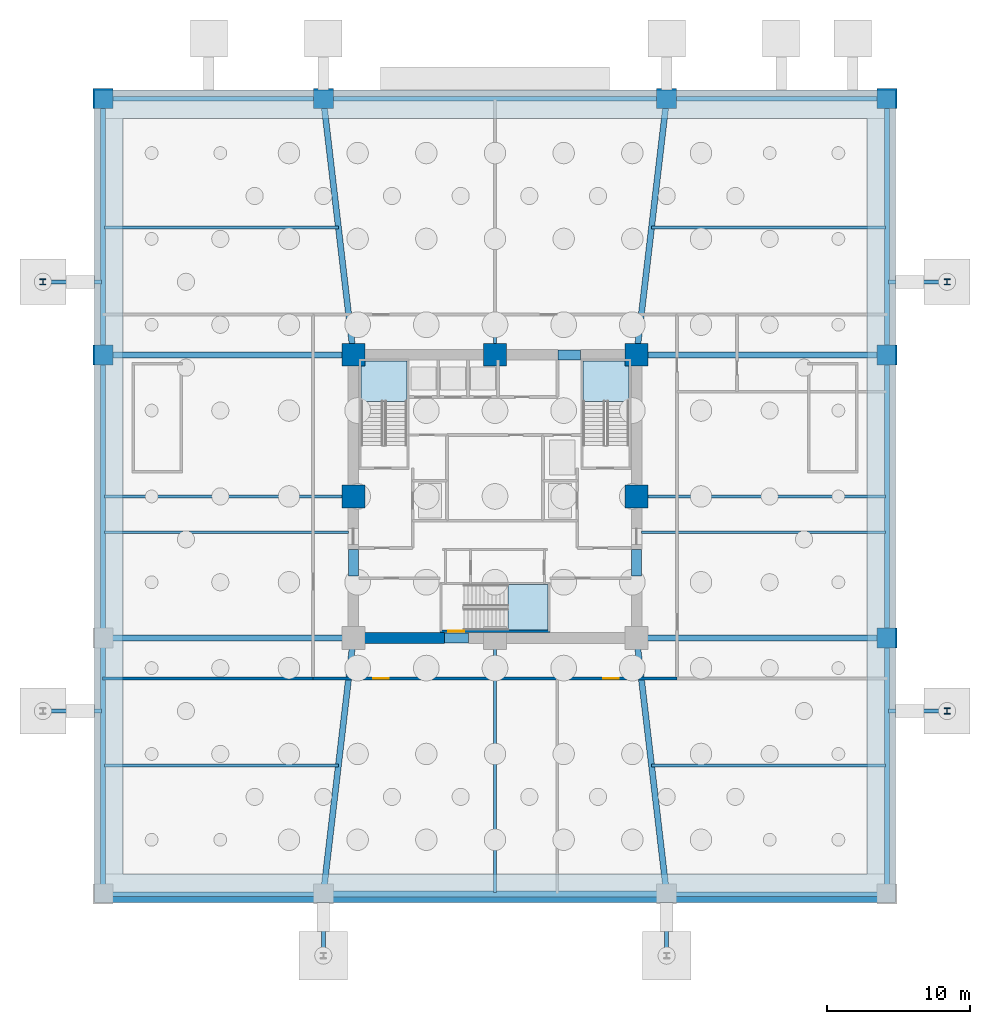
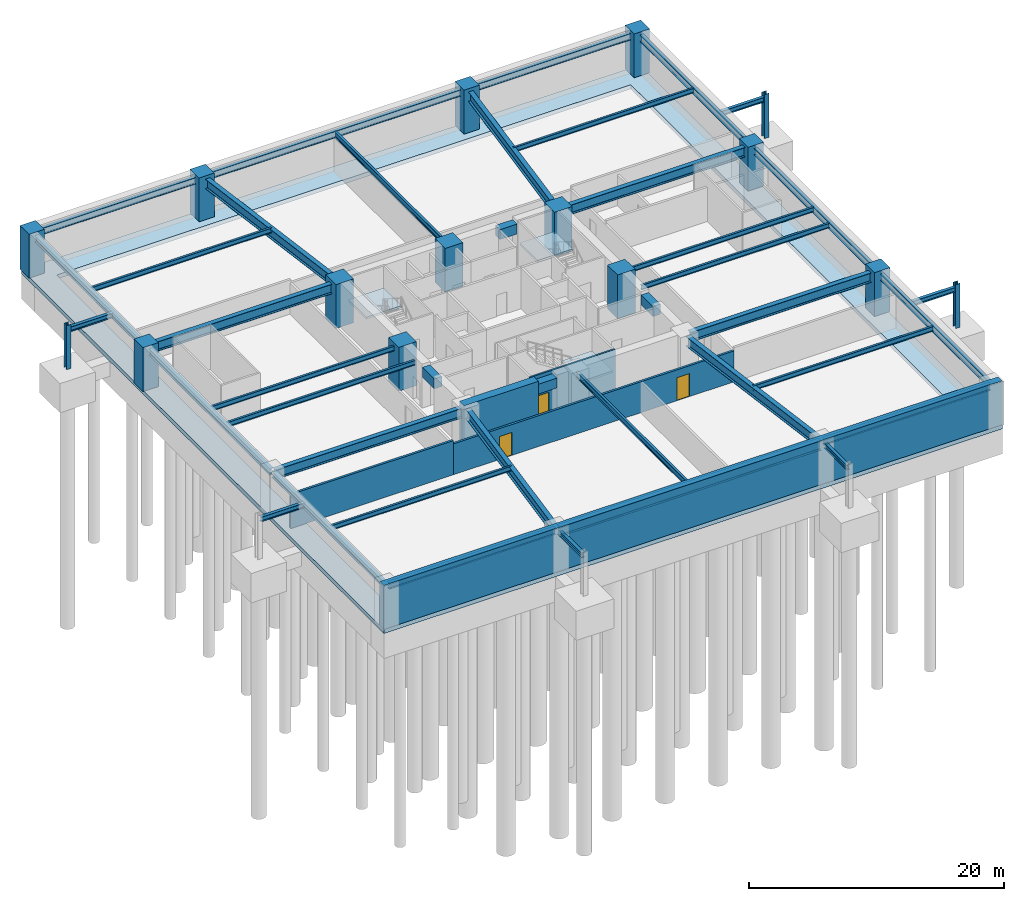
# One storey, part 3 of 8: 40 beams, 15 columns, 5 walls, 4 slabs, 3 doors, 3 openings, 3 elements without a shape of their own.
"""IFC4 building model written with IfcOpenShell, lengths in metres."""

from ifc_helpers import new_model, si_unit, direction, frame, frame_2d, origin, origin_2d, place, context, subcontext, project, spatial, polyline, rectangle, i_section, outline, extrude, material, layer, layer_set, material_profile, profile_set, type_object, element, fill, aggregate, save


model = new_model("IFC4")

# Units and contexts
model_context = context("Model", 3, precision=1e-05, world=origin(), true_north=direction((0.0, 1.0)))
body_context = subcontext(model_context, "Body", "Model", "MODEL_VIEW")
ifc_project = project(units=[si_unit("LENGTHUNIT", "METRE"), si_unit("AREAUNIT", "SQUARE_METRE"), si_unit("VOLUMEUNIT", "CUBIC_METRE"), si_unit("PLANEANGLEUNIT", "RADIAN"), si_unit("MASSUNIT", "GRAM", prefix="KILO")], contexts=[model_context])

# Site, building, storey
site_placement = place(None, origin())
site = spatial("IfcSite", under=ifc_project, at=site_placement, CompositionType="ELEMENT")
building_placement = place(site_placement, origin())
building = spatial("IfcBuilding", under=site, at=building_placement, Name="Kolvaren Belvedere", CompositionType="ELEMENT")
storey_placement = place(building_placement, frame((0.0, 0.0, -12.60009765625)))
storey = spatial("IfcBuildingStorey", under=building, at=storey_placement, Name="B03", CompositionType="ELEMENT", Elevation=-12.60009765625)

# Columns
ifc_material_1 = material(Name="Concrete C60/75", Category="concrete")
ifc_material_profile_1 = material_profile(ifc_material_1, rectangle(XDim=1.39990234375, YDim=1.39990234375, at=origin_2d()), Name="RC 1400X1400")
ifc_profile_set_1 = profile_set([ifc_material_profile_1], Name="Concrete C60/75")
column_type_1 = type_object("IfcColumnType", Name="COL-RC-1400", PredefinedType="COLUMN", material=ifc_profile_set_1)
for number, where, z_axis, x_axis, name in (
    (1, (27.39990234375, -9.89990234375, 0.0), (0.0, 0.0, 1.0), (1.0, 0.0, 0.0), "B03 Podium Mega-Column PB4"),
    (2, (-27.39990234375, 9.89990234375, 0.0), (0.0, 0.0, 1.0), (1.0, 0.0, 0.0), "B03 Podium Mega-Column PC1"),
    (3, (27.39990234375, 9.89990234375, 0.0), (0.0, 0.0, 1.0), (1.0, 0.0, 0.0), "B03 Podium Mega-Column PC4"),
    (4, (-27.39990234375, 27.800048828125, 0.0), (0.0, 0.0, 1.0), (1.0, 0.0, 0.0), "B03 Podium Mega-Column PD1"),
    (5, (-12.0, 27.800048828125, 0.0), (0.0, 0.0, 1.0), (1.0, 0.0, 0.0), "B03 Podium Mega-Column PD2"),
    (6, (12.0, 27.800048828125, 0.0), (0.0, 0.0, 1.0), (1.0, 0.0, 0.0), "B03 Podium Mega-Column PD3"),
    (7, (27.39990234375, 27.800048828125, 0.0), (0.0, 0.0, 1.0), (1.0, 0.0, 0.0), "B03 Podium Mega-Column PD4"),
):
    element("IfcColumn", number, at=place(storey_placement, frame(where, z_axis=z_axis, x_axis=x_axis)), inside=storey, type_object=column_type_1, Name=name, PredefinedType="COLUMN", context=body_context, shape_type="SweptSolid", body=[
        extrude(rectangle(XDim=1.39990234375, YDim=1.39990234375, at=origin_2d()), origin(), (0.0, 0.0, 1.0), 4.2001953125),
    ])
ifc_material_2 = material(Name="Concrete C60/75", Category="concrete")
ifc_material_profile_2 = material_profile(ifc_material_2, rectangle(XDim=1.60009765625, YDim=1.60009765625, at=origin_2d()), Name="RC 1600X1600")
ifc_profile_set_2 = profile_set([ifc_material_profile_2], Name="Concrete C60/75")
column_type_2 = type_object("IfcColumnType", Name="COL-RC-1600", PredefinedType="COLUMN", material=ifc_profile_set_2)
for number, where, z_axis, x_axis, name in (
    (8, (9.89990234375, 9.89990234375, 0.0), (0.0, 0.0, 1.0), (1.0, 0.0, 0.0), "B03 Core Column CC3"),
    (9, (-9.89990234375, 9.89990234375, 0.0), (0.0, 0.0, 1.0), (1.0, 0.0, 0.0), "B03 Core Column CC4"),
    (10, (9.89990234375, 0.0, 0.0), (0.0, 0.0, 1.0), (1.0, 0.0, 0.0), "B03 Core Column CM2"),
    (11, (0.0, 9.89990234375, 0.0), (0.0, 0.0, 1.0), (1.0, 0.0, 0.0), "B03 Core Column CM3"),
    (12, (-9.89990234375, 0.0, 0.0), (0.0, 0.0, 1.0), (1.0, 0.0, 0.0), "B03 Core Column CM4"),
):
    element("IfcColumn", number, at=place(storey_placement, frame(where, z_axis=z_axis, x_axis=x_axis)), inside=storey, type_object=column_type_2, Name=name, PredefinedType="COLUMN", context=body_context, shape_type="SweptSolid", body=[
        extrude(rectangle(XDim=1.60009765625, YDim=1.60009765625, at=origin_2d()), origin(), (0.0, 0.0, 1.0), 4.2001953125),
    ])
ifc_material_3 = material(Name="Structural steel ASTM A992 Grade 50", Category="steel")
ifc_material_profile_3 = material_profile(ifc_material_3, i_section(OverallWidth=0.412109375, OverallDepth=0.43505859375, WebThickness=0.035888671875, FlangeThickness=0.057373046875, FilletRadius=0.02490234375, at=origin_2d()), Name="W14X311")
ifc_profile_set_3 = profile_set([ifc_material_profile_3], Name="Structural steel ASTM A992 Grade 50")
column_type_3 = type_object("IfcColumnType", Name="COL-ST-W14X311", PredefinedType="COLUMN", material=ifc_profile_set_3)
for number, where, z_axis, x_axis, name in (
    (13, (-31.60009765625, 15.0, 0.0), (0.0, 0.0, 1.0), (1.0, 0.0, 0.0), "B03 Forecourt Canopy Column PAD-NW"),
    (14, (31.60009765625, 15.0, 0.0), (0.0, 0.0, 1.0), (1.0, 0.0, 0.0), "B03 Forecourt Canopy Column PAD-NE"),
    (15, (31.60009765625, -15.0, 0.0), (0.0, 0.0, 1.0), (1.0, 0.0, 0.0), "B03 Forecourt Canopy Column PAD-SE"),
):
    element("IfcColumn", number, at=place(storey_placement, frame(where, z_axis=z_axis, x_axis=x_axis)), inside=storey, type_object=column_type_3, Name=name, PredefinedType="COLUMN", context=body_context, shape_type="SweptSolid", body=[
        extrude(i_section(OverallWidth=0.412109375, OverallDepth=0.43505859375, WebThickness=0.035888671875, FlangeThickness=0.057373046875, FilletRadius=0.02490234375, at=origin_2d()), origin(), (0.0, 0.0, 1.0), 4.2001953125),
    ])

# Beams
ifc_material_4 = material(Name="Structural steel ASTM A992 Grade 50", Category="steel")
ifc_material_profile_4 = material_profile(ifc_material_4, i_section(OverallWidth=0.423095703125, OverallDepth=0.947998046875, WebThickness=0.02392578125, FlangeThickness=0.042724609375, FilletRadius=0.028076171875, at=origin_2d()), Name="W36X302")
ifc_profile_set_4 = profile_set([ifc_material_profile_4], Name="Structural steel ASTM A992 Grade 50")
beam_type_1 = type_object("IfcBeamType", Name="BM-ARCH-W36X302", PredefinedType="BEAM", material=ifc_profile_set_4)
beam_1_placement = place(storey_placement, frame((-11.85009765625, -27.800048828125, 3.426025390625), z_axis=(1.0, 0.0, 0.0), x_axis=(0.0, 1.0, 0.0)))
element("IfcBeam", 16, at=beam_1_placement, inside=storey, type_object=beam_type_1, Name="B03 South Portal Header Spandrel", PredefinedType="SPANDREL", context=body_context, shape_type="SweptSolid", body=[
    extrude(i_section(OverallWidth=0.423095703125, OverallDepth=0.947998046875, WebThickness=0.02392578125, FlangeThickness=0.042724609375, FilletRadius=0.028076171875, at=origin_2d()), origin(), (0.0, 0.0, 1.0), 23.7001953125),
])
ifc_material_5 = material(Name="Structural steel ASTM A992 Grade 50", Category="steel")
ifc_material_profile_5 = material_profile(ifc_material_5, i_section(OverallWidth=0.281982421875, OverallDepth=0.467041015625, WebThickness=0.01220703125, FlangeThickness=0.01953125, FilletRadius=0.014892578125, at=origin_2d()), Name="W18X86")
ifc_profile_set_5 = profile_set([ifc_material_profile_5], Name="Structural steel ASTM A992 Grade 50")
beam_type_2 = type_object("IfcBeamType", Name="BM-CANT-PF", PredefinedType="BEAM", material=ifc_profile_set_5)
for number, where, z_axis, x_axis, name in (
    (17, (-31.43994140625, 15.0, 3.66650390625), (1.0, 0.0, 0.0), (0.0, 1.0, 0.0), "B03 Forecourt Canopy Tie Girder PAD-NW"),
    (18, (-31.43994140625, -15.0, 3.66650390625), (1.0, 0.0, 0.0), (0.0, 1.0, 0.0), "B03 Forecourt Canopy Tie Girder PAD-SW"),
    (19, (31.43994140625, 15.0, 3.66650390625), (-1.0, 0.0, 0.0), (0.0, -1.0, 0.0), "B03 Forecourt Canopy Tie Girder PAD-NE"),
    (20, (31.43994140625, -15.0, 3.66650390625), (-1.0, 0.0, 0.0), (0.0, -1.0, 0.0), "B03 Forecourt Canopy Tie Girder PAD-SE"),
):
    element("IfcBeam", number, at=place(storey_placement, frame(where, z_axis=z_axis, x_axis=x_axis)), inside=storey, type_object=beam_type_2, Name=name, PredefinedType="BEAM", context=body_context, shape_type="SweptSolid", body=[
        extrude(i_section(OverallWidth=0.281982421875, OverallDepth=0.467041015625, WebThickness=0.01220703125, FlangeThickness=0.01953125, FilletRadius=0.014892578125, at=origin_2d()), origin(), (0.0, 0.0, 1.0), 3.919921875),
    ])
for number, where, z_axis, x_axis, name in (
    (21, (-12.0, -31.93994140625, 3.66650390625), (0.0, 1.0, 0.0), (-1.0, 0.0, 0.0), "B03 Forecourt Canopy Tie Girder PAD-S1"),
    (22, (12.0, -31.93994140625, 3.66650390625), (0.0, 1.0, 0.0), (-1.0, 0.0, 0.0), "B03 Forecourt Canopy Tie Girder PAD-S2"),
):
    element("IfcBeam", number, at=place(storey_placement, frame(where, z_axis=z_axis, x_axis=x_axis)), inside=storey, type_object=beam_type_2, Name=name, PredefinedType="BEAM", context=body_context, shape_type="SweptSolid", body=[
        extrude(i_section(OverallWidth=0.281982421875, OverallDepth=0.467041015625, WebThickness=0.01220703125, FlangeThickness=0.01953125, FilletRadius=0.014892578125, at=origin_2d()), origin(), (0.0, 0.0, 1.0), 4.02001953125),
    ])
ifc_material_6 = material(Name="Structural steel ASTM A992 Grade 50", Category="steel")
ifc_material_profile_6 = material_profile(ifc_material_6, i_section(OverallWidth=0.2099609375, OverallDepth=0.537109375, WebThickness=0.010986328125, FlangeThickness=0.017333984375, FilletRadius=0.01611328125, at=origin_2d()), Name="W21X68")
ifc_profile_set_6 = profile_set([ifc_material_profile_6], Name="Structural steel ASTM A992 Grade 50")
beam_type_3 = type_object("IfcBeamType", Name="BM-FLR-W21X68", PredefinedType="BEAM", material=ifc_profile_set_6)
for number, where, z_axis, x_axis, name in (
    (23, (0.0, 10.22509765625, 3.631591796875), (0.0, 1.0, 0.0), (-1.0, 0.0, 0.0), "B03 North Centre Beam"),
    (24, (0.0, -10.22509765625, 3.631591796875), (0.0, -1.0, 0.0), (1.0, 0.0, 0.0), "B03 South Centre Beam"),
):
    element("IfcBeam", number, at=place(storey_placement, frame(where, z_axis=z_axis, x_axis=x_axis)), inside=storey, type_object=beam_type_3, Name=name, PredefinedType="BEAM", context=body_context, shape_type="SweptSolid", body=[
        extrude(i_section(OverallWidth=0.2099609375, OverallDepth=0.537109375, WebThickness=0.010986328125, FlangeThickness=0.017333984375, FilletRadius=0.01611328125, at=origin_2d()), origin(), (0.0, 0.0, 1.0), 17.454833984375),
    ])
ifc_material_7 = material(Name="Structural steel ASTM A992 Grade 50", Category="steel")
ifc_material_profile_7 = material_profile(ifc_material_7, i_section(OverallWidth=0.41796875, OverallDepth=0.927001953125, WebThickness=0.019287109375, FlangeThickness=0.031982421875, FilletRadius=0.028076171875, at=origin_2d()), Name="W36X231")
ifc_profile_set_7 = profile_set([ifc_material_profile_7], Name="Structural steel ASTM A992 Grade 50")
beam_type_4 = type_object("IfcBeamType", Name="BM-GIRD-W36X231", PredefinedType="BEAM", material=ifc_profile_set_7)
for number, where, z_axis, x_axis, name in (
    (25, (-27.25, -9.89990234375, 3.4365234375), (1.0, 0.0, 0.0), (0.0, 1.0, 0.0), "B03 West Interior Girder S"),
    (26, (-27.25, 9.89990234375, 3.4365234375), (1.0, 0.0, 0.0), (0.0, 1.0, 0.0), "B03 West Interior Girder N"),
    (27, (10.35009765625, -9.89990234375, 3.4365234375), (1.0, 0.0, 0.0), (0.0, 1.0, 0.0), "B03 East Interior Girder S"),
    (28, (10.35009765625, 9.89990234375, 3.4365234375), (1.0, 0.0, 0.0), (0.0, 1.0, 0.0), "B03 East Interior Girder N"),
):
    element("IfcBeam", number, at=place(storey_placement, frame(where, z_axis=z_axis, x_axis=x_axis)), inside=storey, type_object=beam_type_4, Name=name, PredefinedType="BEAM", context=body_context, shape_type="SweptSolid", body=[
        extrude(i_section(OverallWidth=0.41796875, OverallDepth=0.927001953125, WebThickness=0.019287109375, FlangeThickness=0.031982421875, FilletRadius=0.028076171875, at=origin_2d()), origin(), (0.0, 0.0, 1.0), 16.89990234375),
    ])
for number, where, z_axis, x_axis, name in (
    (29, (-9.952392578125, 10.346923828125, 3.4365234375), (-0.116516841483, 0.993188716031, 0.0), (-0.993188716031, -0.116516841483, 0.0), "B03 North-West Radial Girder"),
    (30, (9.952392578125, 10.346923828125, 3.4365234375), (0.116516841483, 0.993188716031, 0.0), (-0.993188716031, 0.116516841483, 0.0), "B03 North-East Radial Girder"),
    (31, (-9.952392578125, -10.346923828125, 3.4365234375), (-0.116516841483, -0.993188716031, 0.0), (0.993188716031, -0.116516841483, 0.0), "B03 South-West Portal Girder"),
    (32, (9.952392578125, -10.346923828125, 3.4365234375), (0.116516841483, -0.993188716031, 0.0), (0.993188716031, 0.116516841483, 0.0), "B03 South-East Portal Girder"),
):
    element("IfcBeam", number, at=place(storey_placement, frame(where, z_axis=z_axis, x_axis=x_axis)), inside=storey, type_object=beam_type_4, Name=name, PredefinedType="BEAM", context=body_context, shape_type="SweptSolid", body=[
        extrude(i_section(OverallWidth=0.41796875, OverallDepth=0.927001953125, WebThickness=0.019287109375, FlangeThickness=0.031982421875, FilletRadius=0.028076171875, at=origin_2d()), origin(), (0.0, 0.0, 1.0), 17.422607421875),
    ])
ifc_material_8 = material(Name="Structural steel ASTM A992 Grade 50", Category="steel")
ifc_material_profile_8 = material_profile(ifc_material_8, i_section(OverallWidth=0.19091796875, OverallDepth=0.4599609375, WebThickness=0.010009765625, FlangeThickness=0.01611328125, FilletRadius=0.014892578125, at=origin_2d()), Name="W18X55")
ifc_profile_set_8 = profile_set([ifc_material_profile_8], Name="Structural steel ASTM A992 Grade 50")
beam_type_5 = type_object("IfcBeamType", Name="BM-JOIST-W18X55", PredefinedType="BEAM", material=ifc_profile_set_8)
for number, where, z_axis, x_axis, name in (
    (33, (-27.280029296875, -18.800048828125, 3.670166015625), (1.0, 0.0, 0.0), (0.0, 1.0, 0.0), "B03 West Bay Floor Beam"),
    (34, (10.93994140625, -18.800048828125, 3.670166015625), (1.0, 0.0, 0.0), (0.0, 1.0, 0.0), "B03 East Bay Floor Beam"),
):
    element("IfcBeam", number, at=place(storey_placement, frame(where, z_axis=z_axis, x_axis=x_axis)), inside=storey, type_object=beam_type_5, Name=name, PredefinedType="BEAM", context=body_context, shape_type="SweptSolid", body=[
        extrude(i_section(OverallWidth=0.19091796875, OverallDepth=0.4599609375, WebThickness=0.010009765625, FlangeThickness=0.01611328125, FilletRadius=0.014892578125, at=origin_2d()), origin(), (0.0, 0.0, 1.0), 16.340087890625),
    ])
for number, where, z_axis, x_axis, name in (
    (35, (-27.280029296875, -2.5, 3.670166015625), (1.0, 0.0, 0.0), (0.0, 1.0, 0.0), "B03 West Bay Floor Beam"),
    (36, (10.22509765625, -2.5, 3.670166015625), (1.0, 0.0, 0.0), (0.0, 1.0, 0.0), "B03 East Bay Floor Beam"),
    (37, (-27.280029296875, 0.0, 3.670166015625), (1.0, 0.0, 0.0), (0.0, 1.0, 0.0), "B03 West Bay Floor Beam"),
    (38, (10.22509765625, 0.0, 3.670166015625), (1.0, 0.0, 0.0), (0.0, 1.0, 0.0), "B03 East Bay Floor Beam"),
):
    element("IfcBeam", number, at=place(storey_placement, frame(where, z_axis=z_axis, x_axis=x_axis)), inside=storey, type_object=beam_type_5, Name=name, PredefinedType="BEAM", context=body_context, shape_type="SweptSolid", body=[
        extrude(i_section(OverallWidth=0.19091796875, OverallDepth=0.4599609375, WebThickness=0.010009765625, FlangeThickness=0.01611328125, FilletRadius=0.014892578125, at=origin_2d()), origin(), (0.0, 0.0, 1.0), 17.054931640625),
    ])
for number, where, z_axis, x_axis, name in (
    (39, (-27.280029296875, 18.800048828125, 3.670166015625), (1.0, 0.0, 0.0), (0.0, 1.0, 0.0), "B03 West Bay Floor Beam"),
    (40, (10.93994140625, 18.800048828125, 3.670166015625), (1.0, 0.0, 0.0), (0.0, 1.0, 0.0), "B03 East Bay Floor Beam"),
):
    element("IfcBeam", number, at=place(storey_placement, frame(where, z_axis=z_axis, x_axis=x_axis)), inside=storey, type_object=beam_type_5, Name=name, PredefinedType="BEAM", context=body_context, shape_type="SweptSolid", body=[
        extrude(i_section(OverallWidth=0.19091796875, OverallDepth=0.4599609375, WebThickness=0.010009765625, FlangeThickness=0.01611328125, FilletRadius=0.014892578125, at=origin_2d()), origin(), (0.0, 0.0, 1.0), 16.340087890625),
    ])
ifc_material_9 = material(Name="Concrete C60/75", Category="concrete")
ifc_material_profile_9 = material_profile(ifc_material_9, rectangle(XDim=0.699951171875, YDim=0.949951171875, at=origin_2d()), Name="RC 700X950")
ifc_profile_set_9 = profile_set([ifc_material_profile_9], Name="Concrete C60/75")
beam_type_6 = type_object("IfcBeamType", Name="BM-LINT-950", PredefinedType="LINTEL", material=ifc_profile_set_9)
beam_2_placement = place(storey_placement, frame((-3.5400390625, -9.89990234375, 3.425048828125), z_axis=(1.0, 0.0, 0.0), x_axis=(0.0, 1.0, 0.0)))
element("IfcBeam", 41, at=beam_2_placement, inside=storey, type_object=beam_type_6, Name="B03 South Core Coupling Lintel", PredefinedType="LINTEL", context=body_context, shape_type="SweptSolid", body=[
    extrude(rectangle(XDim=0.699951171875, YDim=0.949951171875, at=origin_2d()), origin(), (0.0, 0.0, 1.0), 1.679931640625),
])
beam_3_placement = place(storey_placement, frame((4.419921875, 9.89990234375, 3.425048828125), z_axis=(1.0, 0.0, 0.0), x_axis=(0.0, 1.0, 0.0)))
element("IfcBeam", 42, at=beam_3_placement, inside=storey, type_object=beam_type_6, Name="B03 North Core Coupling Lintel", PredefinedType="LINTEL", context=body_context, shape_type="SweptSolid", body=[
    extrude(rectangle(XDim=0.699951171875, YDim=0.949951171875, at=origin_2d()), origin(), (0.0, 0.0, 1.0), 1.56005859375),
])
for number, where, z_axis, x_axis, name in (
    (43, (-9.89990234375, -5.550048828125, 3.425048828125), (0.0, 1.0, 0.0), (-1.0, 0.0, 0.0), "B03 West Core Coupling Lintel"),
    (44, (9.89990234375, -5.550048828125, 3.425048828125), (0.0, 1.0, 0.0), (-1.0, 0.0, 0.0), "B03 East Core Coupling Lintel"),
):
    element("IfcBeam", number, at=place(storey_placement, frame(where, z_axis=z_axis, x_axis=x_axis)), inside=storey, type_object=beam_type_6, Name=name, PredefinedType="LINTEL", context=body_context, shape_type="SweptSolid", body=[
        extrude(rectangle(XDim=0.699951171875, YDim=0.949951171875, at=origin_2d()), origin(), (0.0, 0.0, 1.0), 1.85009765625),
    ])
ifc_material_10 = material(Name="Structural steel ASTM A992 Grade 50", Category="steel")
ifc_material_profile_10 = material_profile(ifc_material_10, i_section(OverallWidth=0.324951171875, OverallDepth=0.615966796875, WebThickness=0.013916015625, FlangeThickness=0.021484375, FilletRadius=0.02001953125, at=origin_2d()), Name="W24X117")
ifc_profile_set_10 = profile_set([ifc_material_profile_10], Name="Structural steel ASTM A992 Grade 50")
beam_type_7 = type_object("IfcBeamType", Name="BM-SPAN-W24X117", PredefinedType="SPANDREL", material=ifc_profile_set_10)
beam_4_placement = place(storey_placement, frame((-27.25, 27.800048828125, 3.592041015625), z_axis=(1.0, 0.0, 0.0), x_axis=(0.0, 1.0, 0.0)))
element("IfcBeam", 45, at=beam_4_placement, inside=storey, type_object=beam_type_7, Name="B03 North Podium Spandrel 1", PredefinedType="SPANDREL", context=body_context, shape_type="SweptSolid", body=[
    extrude(i_section(OverallWidth=0.324951171875, OverallDepth=0.615966796875, WebThickness=0.013916015625, FlangeThickness=0.021484375, FilletRadius=0.02001953125, at=origin_2d()), origin(), (0.0, 0.0, 1.0), 15.10009765625),
])
beam_5_placement = place(storey_placement, frame((-11.85009765625, 27.800048828125, 3.592041015625), z_axis=(1.0, 0.0, 0.0), x_axis=(0.0, 1.0, 0.0)))
element("IfcBeam", 46, at=beam_5_placement, inside=storey, type_object=beam_type_7, Name="B03 North Podium Spandrel 2", PredefinedType="SPANDREL", context=body_context, shape_type="SweptSolid", body=[
    extrude(i_section(OverallWidth=0.324951171875, OverallDepth=0.615966796875, WebThickness=0.013916015625, FlangeThickness=0.021484375, FilletRadius=0.02001953125, at=origin_2d()), origin(), (0.0, 0.0, 1.0), 23.7001953125),
])
for number, where, z_axis, x_axis, name in (
    (47, (12.14990234375, 27.800048828125, 3.592041015625), (1.0, 0.0, 0.0), (0.0, 1.0, 0.0), "B03 North Podium Spandrel 3"),
    (48, (-27.25, -27.800048828125, 3.592041015625), (1.0, 0.0, 0.0), (0.0, 1.0, 0.0), "B03 South Podium Spandrel 1"),
    (49, (12.14990234375, -27.800048828125, 3.592041015625), (1.0, 0.0, 0.0), (0.0, 1.0, 0.0), "B03 South Podium Spandrel 3"),
):
    element("IfcBeam", number, at=place(storey_placement, frame(where, z_axis=z_axis, x_axis=x_axis)), inside=storey, type_object=beam_type_7, Name=name, PredefinedType="SPANDREL", context=body_context, shape_type="SweptSolid", body=[
        extrude(i_section(OverallWidth=0.324951171875, OverallDepth=0.615966796875, WebThickness=0.013916015625, FlangeThickness=0.021484375, FilletRadius=0.02001953125, at=origin_2d()), origin(), (0.0, 0.0, 1.0), 15.10009765625),
    ])
beam_6_placement = place(storey_placement, frame((-27.39990234375, -27.64990234375, 3.592041015625), z_axis=(0.0, 1.0, 0.0), x_axis=(-1.0, 0.0, 0.0)))
element("IfcBeam", 50, at=beam_6_placement, inside=storey, type_object=beam_type_7, Name="B03 W Podium Spandrel 1", PredefinedType="SPANDREL", context=body_context, shape_type="SweptSolid", body=[
    extrude(i_section(OverallWidth=0.324951171875, OverallDepth=0.615966796875, WebThickness=0.013916015625, FlangeThickness=0.021484375, FilletRadius=0.02001953125, at=origin_2d()), origin(), (0.0, 0.0, 1.0), 17.599853515625),
])
beam_7_placement = place(storey_placement, frame((-27.39990234375, -9.75, 3.592041015625), z_axis=(0.0, 1.0, 0.0), x_axis=(-1.0, 0.0, 0.0)))
element("IfcBeam", 51, at=beam_7_placement, inside=storey, type_object=beam_type_7, Name="B03 W Podium Spandrel 2", PredefinedType="SPANDREL", context=body_context, shape_type="SweptSolid", body=[
    extrude(i_section(OverallWidth=0.324951171875, OverallDepth=0.615966796875, WebThickness=0.013916015625, FlangeThickness=0.021484375, FilletRadius=0.02001953125, at=origin_2d()), origin(), (0.0, 0.0, 1.0), 19.5),
])
for number, where, z_axis, x_axis, name in (
    (52, (-27.39990234375, 10.050048828125, 3.592041015625), (0.0, 1.0, 0.0), (-1.0, 0.0, 0.0), "B03 W Podium Spandrel 3"),
    (53, (27.39990234375, -27.64990234375, 3.592041015625), (0.0, 1.0, 0.0), (-1.0, 0.0, 0.0), "B03 E Podium Spandrel 1"),
):
    element("IfcBeam", number, at=place(storey_placement, frame(where, z_axis=z_axis, x_axis=x_axis)), inside=storey, type_object=beam_type_7, Name=name, PredefinedType="SPANDREL", context=body_context, shape_type="SweptSolid", body=[
        extrude(i_section(OverallWidth=0.324951171875, OverallDepth=0.615966796875, WebThickness=0.013916015625, FlangeThickness=0.021484375, FilletRadius=0.02001953125, at=origin_2d()), origin(), (0.0, 0.0, 1.0), 17.599853515625),
    ])
beam_8_placement = place(storey_placement, frame((27.39990234375, -9.75, 3.592041015625), z_axis=(0.0, 1.0, 0.0), x_axis=(-1.0, 0.0, 0.0)))
element("IfcBeam", 54, at=beam_8_placement, inside=storey, type_object=beam_type_7, Name="B03 E Podium Spandrel 2", PredefinedType="SPANDREL", context=body_context, shape_type="SweptSolid", body=[
    extrude(i_section(OverallWidth=0.324951171875, OverallDepth=0.615966796875, WebThickness=0.013916015625, FlangeThickness=0.021484375, FilletRadius=0.02001953125, at=origin_2d()), origin(), (0.0, 0.0, 1.0), 19.5),
])
beam_9_placement = place(storey_placement, frame((27.39990234375, 10.050048828125, 3.592041015625), z_axis=(0.0, 1.0, 0.0), x_axis=(-1.0, 0.0, 0.0)))
element("IfcBeam", 55, at=beam_9_placement, inside=storey, type_object=beam_type_7, Name="B03 E Podium Spandrel 3", PredefinedType="SPANDREL", context=body_context, shape_type="SweptSolid", body=[
    extrude(i_section(OverallWidth=0.324951171875, OverallDepth=0.615966796875, WebThickness=0.013916015625, FlangeThickness=0.021484375, FilletRadius=0.02001953125, at=origin_2d()), origin(), (0.0, 0.0, 1.0), 17.599853515625),
])

# Slab
ifc_material_11 = material(Name="Concrete C50/60", Category="concrete")
ifc_layer_1 = layer(ifc_material_11, 0.39990234375)
ifc_layer_set_1 = layer_set([ifc_layer_1], Name="Concrete C50/60")
slab_type_1 = type_object("IfcSlabType", Name="SL-BASE-400", PredefinedType="BASESLAB", material=ifc_layer_set_1)
slab_1_placement = place(storey_placement, frame((0.0, 0.0, -0.39990234375)))
element("IfcSlab", 56, at=slab_1_placement, inside=storey, type_object=slab_type_1, Name="B03 Perimeter Foundation Base Slab", PredefinedType="BASESLAB", context=body_context, shape_type="SweptSolid", body=[
    extrude(outline(polyline([(-28.0, -28.39990234375), (28.0, -28.39990234375), (28.0, 28.39990234375), (-28.0, 28.39990234375), (-28.0, -28.39990234375)]), holes=[polyline([(-26.0, -26.39990234375), (26.0, -26.39990234375), (26.0, 26.39990234375), (-26.0, 26.39990234375), (-26.0, -26.39990234375)])]), origin(), (0.0, 0.0, 1.0), 0.39990234375),
])

# Stair, slab
ifc_material_12 = material(Name="Concrete C50/60", Category="concrete")
stair_type = type_object("IfcStairType", Name="ST-CORE-1520", PredefinedType="HALF_TURN_STAIR", material=ifc_material_12)
stair_1_placement = place(storey_placement, origin())
stair_1 = element("IfcStair", 57, at=stair_1_placement, inside=storey, type_object=stair_type, Name="B03 Protected Exit Stair ST-1", PredefinedType="HALF_TURN_STAIR")
ifc_material_13 = material(Name="Concrete C50/60", Category="concrete")
ifc_layer_2 = layer(ifc_material_13, 0.260009765625)
ifc_layer_set_2 = layer_set([ifc_layer_2], Name="Concrete C50/60")
slab_type_2 = type_object("IfcSlabType", Name="SL-LAND-260", PredefinedType="LANDING", material=ifc_layer_set_2)
slab_2_placement = place(storey_placement, frame((0.0, 0.0, 1.900146484375)))
slab_2 = element("IfcSlab", 58, at=slab_2_placement, type_object=slab_type_2, Name="ST-1 landing 1", PredefinedType="LANDING", context=body_context, shape_type="SweptSolid", body=[
    extrude(outline(polyline([(-6.159912109375, 6.64990234375), (-6.159912109375, 9.449951171875), (-9.35009765625, 9.449951171875), (-9.35009765625, 6.64990234375), (-6.159912109375, 6.64990234375)])), origin(), (0.0, 0.0, 1.0), 0.199951171875),
])
aggregate(stair_1, [slab_2])

stair_2_placement = place(storey_placement, origin())
stair_2 = element("IfcStair", 59, at=stair_2_placement, inside=storey, type_object=stair_type, Name="B03 Protected Exit Stair ST-2", PredefinedType="HALF_TURN_STAIR")
slab_3_placement = place(storey_placement, frame((0.0, 0.0, 1.900146484375)))
slab_3 = element("IfcSlab", 60, at=slab_3_placement, type_object=slab_type_2, Name="ST-2 landing 1", PredefinedType="LANDING", context=body_context, shape_type="SweptSolid", body=[
    extrude(outline(polyline([(9.35009765625, 6.64990234375), (9.35009765625, 9.449951171875), (6.159912109375, 9.449951171875), (6.159912109375, 6.64990234375), (9.35009765625, 6.64990234375)])), origin(), (0.0, 0.0, 1.0), 0.199951171875),
])
aggregate(stair_2, [slab_3])

stair_3_placement = place(storey_placement, origin())
stair_3 = element("IfcStair", 61, at=stair_3_placement, inside=storey, type_object=stair_type, Name="B03 Protected Exit Stair ST-3", PredefinedType="HALF_TURN_STAIR")
slab_4_placement = place(storey_placement, frame((0.0, 0.0, 1.900146484375)))
slab_4 = element("IfcSlab", 62, at=slab_4_placement, type_object=slab_type_2, Name="ST-3 landing 1", PredefinedType="LANDING", context=body_context, shape_type="SweptSolid", body=[
    extrude(outline(polyline([(0.89990234375, -9.35009765625), (3.699951171875, -9.35009765625), (3.699951171875, -6.159912109375), (0.89990234375, -6.159912109375), (0.89990234375, -9.35009765625)])), origin(), (0.0, 0.0, 1.0), 0.199951171875),
])
aggregate(stair_3, [slab_4])

# Wall
ifc_material_14 = material(Name="Concrete C60/75", Category="concrete")
ifc_layer_3 = layer(ifc_material_14, 0.75)
ifc_layer_set_3 = layer_set([ifc_layer_3], Name="Concrete C60/75")
wall_type_1 = type_object("IfcWallType", Name="CW-CORE-750", PredefinedType="SHEAR", material=ifc_layer_set_3)
wall_1_placement = place(storey_placement, frame((-3.5400390625, -9.89990234375, 0.0), z_axis=(0.0, 0.0, 1.0), x_axis=(-1.0, 0.0, 0.0)))
element("IfcWall", 63, at=wall_1_placement, inside=storey, type_object=wall_type_1, Name="B03 South Core Shear Wall 2", PredefinedType="SHEAR", context=body_context, shape_type="SweptSolid", body=[
    extrude(rectangle(XDim=6.73486328125, YDim=0.75, at=frame_2d((3.367431640625, 0.0))), origin(), (0.0, 0.0, 1.0), 4.2001953125),
])

# Wall, opening, door
ifc_material_15 = material(Name="Concrete C50/60", Category="concrete")
ifc_layer_4 = layer(ifc_material_15, 0.159912109375)
ifc_layer_set_4 = layer_set([ifc_layer_4], Name="Concrete C50/60")
wall_type_2 = type_object("IfcWallType", Name="CW-STAIR-160", PredefinedType="SHEAR", material=ifc_layer_set_4)
wall_2_placement = place(storey_placement, frame((3.860107421875, -9.429931640625, 0.0), z_axis=(0.0, 0.0, 1.0), x_axis=(-1.0, 0.0, 0.0)))
wall_2 = element("IfcWall", 64, at=wall_2_placement, inside=storey, type_object=wall_type_2, Name="B03 Stair ST-3 South Shear Wall", PredefinedType="SHEAR", context=body_context, shape_type="SweptSolid", body=[
    extrude(rectangle(XDim=7.72021484375, YDim=0.159912109375, at=frame_2d((3.860107421875, 0.0))), origin(), (0.0, 0.0, 1.0), 4.2001953125),
])
opening_1_placement = place(wall_2_placement, frame((6.010009765625, 0.0, 0.0)))
opening_1 = element("IfcOpeningElement", 65, at=opening_1_placement, cuts=wall_2, Name="Opening D-FD90", PredefinedType="OPENING", context=body_context, shape_type="SweptSolid", body=[
    extrude(rectangle(XDim=1.10009765625, YDim=2.199951171875, at=frame_2d((0.550048828125, 1.10009765625))), frame((0.0, 0.08984375, 0.0), z_axis=(0.0, -1.0, 0.0), x_axis=(1.0, 0.0, 0.0)), (0.0, 0.0, 1.0), 0.179931640625),
])
ifc_material_16 = material(Name="Painted hollow stainless steel", Category="steel")
door_type = type_object("IfcDoorType", Name="DR-FD90-1100", OperationType="NOTDEFINED", PredefinedType="DOOR", material=ifc_material_16)
door_1_placement = place(opening_1_placement, origin())
door_1 = element("IfcDoor", 66, at=door_1_placement, inside=storey, type_object=door_type, Name="B03 Stair ST-3 Exit Door", OperationType="SINGLE_SWING_RIGHT", OverallHeight=2.199951171875, OverallWidth=1.10009765625, PredefinedType="DOOR", context=body_context, shape_type="SweptSolid", body=[
    extrude(rectangle(XDim=1.10009765625, YDim=2.199951171875, at=frame_2d((0.550048828125, 1.10009765625))), frame((0.0, 0.02490234375, 0.0), z_axis=(0.0, -1.0, 0.0), x_axis=(1.0, 0.0, 0.0)), (0.0, 0.0, 1.0), 0.050048828125),
])
fill(opening_1, door_1)

# Wall
ifc_material_17 = material(Name="Concrete C50/60", Category="concrete")
ifc_layer_5 = layer(ifc_material_17, 0.64990234375)
ifc_layer_set_5 = layer_set([ifc_layer_5], Name="Concrete C50/60")
wall_type_3 = type_object("IfcWallType", Name="RW-BASE-650", PredefinedType="SHEAR", material=ifc_layer_set_5)
wall_3_placement = place(storey_placement, frame((-28.0, -28.074951171875, 0.0), z_axis=(0.0, 0.0, 1.0), x_axis=(1.0, 0.0, 0.0)))
element("IfcWall", 67, at=wall_3_placement, inside=storey, type_object=wall_type_3, Name="B03 South Perimeter Retaining Wall", PredefinedType="SHEAR", context=body_context, shape_type="SweptSolid", body=[
    extrude(rectangle(XDim=56.0, YDim=0.64990234375, at=frame_2d((28.0, 0.0))), origin(), (0.0, 0.0, 1.0), 4.2001953125),
])

# Wall, openings, doors
ifc_material_18 = material(Name="Concrete C50/60", Category="concrete")
ifc_layer_6 = layer(ifc_material_18, 0.199951171875)
ifc_layer_set_6 = layer_set([ifc_layer_6], Name="Concrete C50/60")
wall_type_4 = type_object("IfcWallType", Name="WL-SHAFT-200", PredefinedType="SOLIDWALL", material=ifc_layer_set_6)
wall_4_placement = place(storey_placement, frame((-12.719970703125, -12.719970703125, 0.0), z_axis=(0.0, 0.0, 1.0), x_axis=(1.0, 0.0, 0.0)))
wall_4 = element("IfcWall", 68, at=wall_4_placement, inside=storey, type_object=wall_type_4, Name="B03 South Corridor Wall", PredefinedType="SOLIDWALL", context=body_context, shape_type="SweptSolid", body=[
    extrude(rectangle(XDim=25.43994140625, YDim=0.199951171875, at=frame_2d((12.719970703125, 0.0))), origin(), (0.0, 0.0, 1.0), 2.9580078125),
])
opening_2_placement = place(wall_4_placement, frame((4.199951171875, 0.0, 0.0)))
opening_2 = element("IfcOpeningElement", 69, at=opening_2_placement, cuts=wall_4, Name="Opening D-FD90", PredefinedType="OPENING", context=body_context, shape_type="SweptSolid", body=[
    extrude(rectangle(XDim=1.10009765625, YDim=2.199951171875, at=frame_2d((0.550048828125, 1.10009765625))), frame((0.0, 0.10986328125, 0.0), z_axis=(0.0, -1.0, 0.0), x_axis=(1.0, 0.0, 0.0)), (0.0, 0.0, 1.0), 0.219970703125),
])
opening_3_placement = place(wall_4_placement, frame((20.27001953125, 0.0, 0.0)))
opening_3 = element("IfcOpeningElement", 70, at=opening_3_placement, cuts=wall_4, Name="Opening D-FD90", PredefinedType="OPENING", context=body_context, shape_type="SweptSolid", body=[
    extrude(rectangle(XDim=1.10009765625, YDim=2.199951171875, at=frame_2d((0.550048828125, 1.10009765625))), frame((0.0, 0.10986328125, 0.0), z_axis=(0.0, -1.0, 0.0), x_axis=(1.0, 0.0, 0.0)), (0.0, 0.0, 1.0), 0.219970703125),
])
door_2_placement = place(opening_2_placement, origin())
door_2 = element("IfcDoor", 71, at=door_2_placement, inside=storey, type_object=door_type, Name="B03 Geothermal Chilled-Water Mechanical Plant Door", OperationType="SINGLE_SWING_LEFT", OverallHeight=2.199951171875, OverallWidth=1.10009765625, PredefinedType="DOOR", context=body_context, shape_type="SweptSolid", body=[
    extrude(rectangle(XDim=1.10009765625, YDim=2.199951171875, at=frame_2d((0.550048828125, 1.10009765625))), frame((0.0, 0.02490234375, 0.0), z_axis=(0.0, -1.0, 0.0), x_axis=(1.0, 0.0, 0.0)), (0.0, 0.0, 1.0), 0.050048828125),
])
fill(opening_2, door_2)
door_3_placement = place(opening_3_placement, origin())
door_3 = element("IfcDoor", 72, at=door_3_placement, inside=storey, type_object=door_type, Name="B03 Fire Water Booster Pump Mechanical Plant Door", OperationType="SINGLE_SWING_RIGHT", OverallHeight=2.199951171875, OverallWidth=1.10009765625, PredefinedType="DOOR", context=body_context, shape_type="SweptSolid", body=[
    extrude(rectangle(XDim=1.10009765625, YDim=2.199951171875, at=frame_2d((0.550048828125, 1.10009765625))), frame((0.0, 0.02490234375, 0.0), z_axis=(0.0, -1.0, 0.0), x_axis=(1.0, 0.0, 0.0)), (0.0, 0.0, 1.0), 0.050048828125),
])
fill(opening_3, door_3)

# Wall
wall_5_placement = place(storey_placement, frame((-27.43994140625, -12.719970703125, 0.0), z_axis=(0.0, 0.0, 1.0), x_axis=(1.0, 0.0, 0.0)))
element("IfcWall", 73, at=wall_5_placement, inside=storey, type_object=wall_type_4, Name="B03 Sector Wall PW-B03-QSW", PredefinedType="SOLIDWALL", context=body_context, shape_type="SweptSolid", body=[
    extrude(rectangle(XDim=14.719970703125, YDim=0.199951171875, at=frame_2d((7.35986328125, 0.0))), origin(), (0.0, 0.0, 1.0), 3.26904296875),
])

save(model, "model.ifc")
